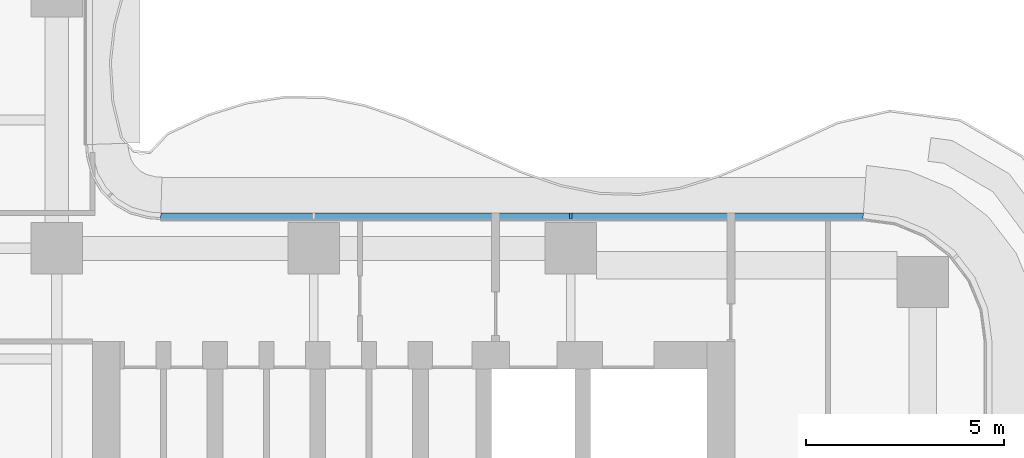
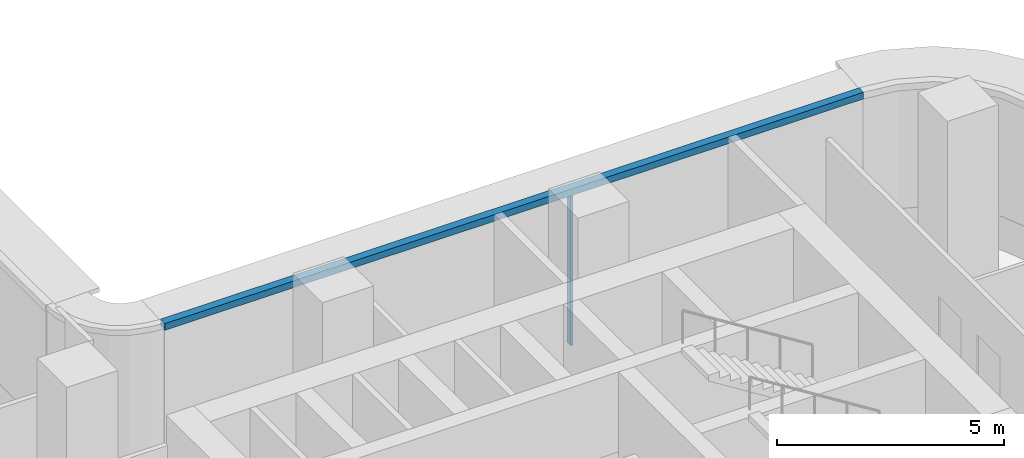
# One storey, part 10 of 21: 2 members, 1 element without a shape of its own.
"""IFC4 building model written with IfcOpenShell, lengths in metres."""

from ifc_helpers import new_model, si_unit, direction, frame, origin, origin_2d, place, context, subcontext, project, spatial, polyline, rectangle, outline, extrude, source, transform, mapped, material, layer, layer_set, material_profile, profile_set, type_object, element, aggregate, save


model = new_model("IFC4")

# Units and contexts
model_context = context("Model", 3, precision=1e-05, world=origin(), true_north=direction((0.0, 1.0)))
body_context = subcontext(model_context, "Body", "Model", "MODEL_VIEW")
ifc_project = project(units=[si_unit("LENGTHUNIT", "METRE"), si_unit("AREAUNIT", "SQUARE_METRE"), si_unit("VOLUMEUNIT", "CUBIC_METRE"), si_unit("PLANEANGLEUNIT", "RADIAN"), si_unit("MASSUNIT", "GRAM", prefix="KILO")], contexts=[model_context])

# Site, building, storey
site_placement = place(None, origin())
site = spatial("IfcSite", under=ifc_project, at=site_placement, CompositionType="ELEMENT")
building_placement = place(site_placement, origin())
building = spatial("IfcBuilding", under=site, at=building_placement, Name="Trellis Farm Tower", CompositionType="ELEMENT")
storey_placement = place(building_placement, frame((0.0, 0.0, 138.0)))
storey = spatial("IfcBuildingStorey", under=building, at=storey_placement, Name="L29", CompositionType="ELEMENT", Elevation=138.0)

# Curtain wall, members
ifc_material_1 = material(Name="Aluminium and glass curtain wall", Category="aluminium")
ifc_layer_1 = layer(ifc_material_1, 0.18994140625)
ifc_layer_set_1 = layer_set([ifc_layer_1], Name="RIBBON CURTAIN WALL CW1")
curtain_wall_type = type_object("IfcCurtainWallType", Name="RIBBON CURTAIN WALL CW1", PredefinedType="NOTDEFINED", material=ifc_layer_set_1)
curtain_wall_placement = place(storey_placement, origin())
curtain_wall = element("IfcCurtainWall", 1, at=curtain_wall_placement, inside=storey, type_object=curtain_wall_type, Name="CW1 008", PredefinedType="NOTDEFINED")
ifc_material_2 = material(Name="Aluminium extrusion 6063-T6", Category="aluminium")
ifc_material_profile = material_profile(ifc_material_2, rectangle(XDim=0.06005859375, YDim=0.14990234375, at=origin_2d()), Name="MULLION 60x150")
ifc_profile_set = profile_set([ifc_material_profile], Name="Aluminium extrusion 6063-T6")
member_type_1 = type_object("IfcMemberType", Name="CW1 MULLION 60x150", PredefinedType="MULLION", material=ifc_profile_set)
shared_shape_1 = source(origin(), body_context, "Body", "SweptSolid", [
    extrude(rectangle(XDim=0.06005859375, YDim=0.14990234375, at=origin_2d()), origin(), (0.0, 0.0, 1.0), 4.070068359375),
])
member_1_placement = place(storey_placement, frame((18.60009765625, 6.425048828125, 0.0), z_axis=(0.0, 0.0, 1.0), x_axis=(-1.0, 0.0, 0.0)))
member_1 = element("IfcMember", 2, at=member_1_placement, type_object=member_type_1, Name="MU1 008-01", PredefinedType="MULLION", context=body_context, shape_type="MappedRepresentation", body=[
    mapped(shared_shape_1, transform((0.0, 0.0, 0.0))),
])
ifc_layer_2 = layer(ifc_material_2, 0.199951171875)
ifc_layer_set_2 = layer_set([ifc_layer_2], Name="Aluminium extrusion 6063-T6")
member_type_2 = type_object("IfcMemberType", Name="CW1 TRANSOM 200x180", PredefinedType="USERDEFINED", material=ifc_layer_set_2)
shared_shape_2 = source(origin(), body_context, "Body", "SweptSolid", [
    extrude(outline(polyline([(26.0, 6.5), (8.2314453125, 6.5), (8.224853515625, 6.300048828125), (25.98681640625, 6.300048828125), (26.0, 6.5)])), origin(), (0.0, 0.0, 1.0), 0.179931640625),
])
member_2_placement = place(storey_placement, frame((0.0, 0.0, 4.070068359375)))
member_2 = element("IfcMember", 3, at=member_2_placement, type_object=member_type_2, Name="TR1 008", ObjectType="TRANSOM", PredefinedType="USERDEFINED", context=body_context, shape_type="MappedRepresentation", body=[
    mapped(shared_shape_2, transform((0.0, 0.0, 0.0))),
])
aggregate(curtain_wall, [member_1, member_2])

save(model, "model.ifc")
